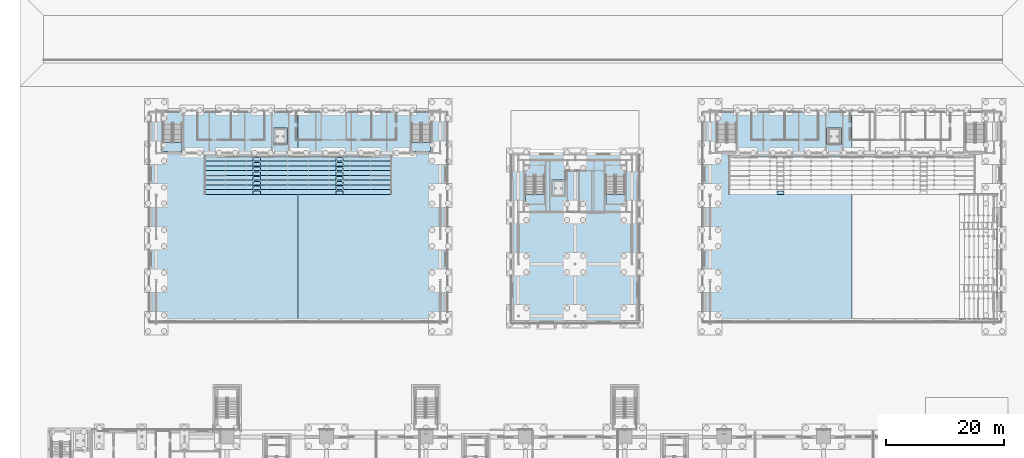
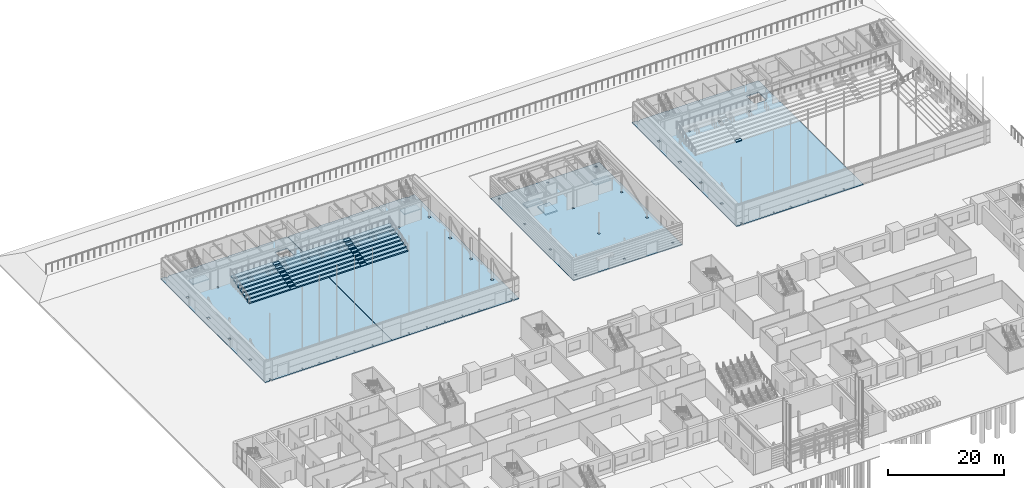
# One storey, part 74 of 139: 35 slabs, 4 elements without a shape of their own.
"""IFC4 building model written with IfcOpenShell, lengths in metres."""

from ifc_helpers import new_model, si_unit, direction, frame, origin, place, context, subcontext, project, spatial, polyline, outline, extrude, material, layer, layer_set, type_object, element, aggregate, save


model = new_model("IFC4")

# Units and contexts
model_context = context("Model", 3, precision=1e-05, world=origin(), true_north=direction((0.0, 1.0)))
body_context = subcontext(model_context, "Body", "Model", "MODEL_VIEW")
ifc_project = project(units=[si_unit("LENGTHUNIT", "METRE"), si_unit("AREAUNIT", "SQUARE_METRE"), si_unit("VOLUMEUNIT", "CUBIC_METRE"), si_unit("PLANEANGLEUNIT", "RADIAN"), si_unit("MASSUNIT", "GRAM", prefix="KILO")], contexts=[model_context])

# Site, building, storey
site_placement = place(None, origin())
site = spatial("IfcSite", under=ifc_project, at=site_placement, CompositionType="ELEMENT")
building_placement = place(site_placement, origin())
building = spatial("IfcBuilding", under=site, at=building_placement, Name="Verrick Yard Athletic Hall", CompositionType="ELEMENT")
storey_placement = place(building_placement, origin())
storey = spatial("IfcBuildingStorey", under=building, at=storey_placement, Name="L00", CompositionType="ELEMENT", Elevation=0.0)

# Slabs
ifc_material = material(Name="Concrete 35 MPa", Category="concrete")
ifc_layer_1 = layer(ifc_material, 0.199951171875)
ifc_layer_set_1 = layer_set([ifc_layer_1], Name="HB ground slab 200")
slab_type_1 = type_object("IfcSlabType", Name="HB ground slab 200", PredefinedType="BASESLAB", material=ifc_layer_set_1)
slab_1_placement = place(storey_placement, frame((0.0, 0.0, -0.199951171875)))
element("IfcSlab", 1, at=slab_1_placement, inside=storey, type_object=slab_type_1, Name="HB-SL-A-G1", PredefinedType="BASESLAB", context=body_context, shape_type="SweptSolid", body=[
    extrude(outline(polyline([(145.574951171875, 72.0), (121.83447265625, 72.0), (121.83447265625, 72.22802734375), (121.365478515625, 72.22802734375), (121.365478515625, 72.0), (120.39990234375, 72.0), (120.39990234375, 108.0), (121.365478515625, 108.0), (121.365478515625, 107.77197265625), (121.83447265625, 107.77197265625), (121.83447265625, 108.0), (127.447509765625, 108.0), (127.447509765625, 107.794921875), (127.75244140625, 107.794921875), (127.75244140625, 108.0), (133.447509765625, 108.0), (133.447509765625, 107.794921875), (133.75244140625, 107.794921875), (133.75244140625, 108.0), (139.447509765625, 108.0), (139.447509765625, 107.794921875), (139.75244140625, 107.794921875), (139.75244140625, 108.0), (145.447509765625, 108.0), (145.447509765625, 107.794921875), (145.574951171875, 107.794921875), (145.574951171875, 101.0048828125), (145.447509765625, 101.0048828125), (145.447509765625, 100.594970703125), (145.574951171875, 100.594970703125), (145.574951171875, 72.0)]), holes=[polyline([(121.726318359375, 72.620849609375), (121.473876953125, 72.620849609375), (121.473876953125, 72.368408203125), (121.726318359375, 72.368408203125), (121.726318359375, 72.620849609375)]), polyline([(128.14990234375, 72.620849609375), (127.8974609375, 72.620849609375), (127.8974609375, 72.368408203125), (128.14990234375, 72.368408203125), (128.14990234375, 72.620849609375)]), polyline([(131.53369140625, 72.368408203125), (131.53369140625, 72.620849609375), (131.28125, 72.620849609375), (131.28125, 72.368408203125), (131.53369140625, 72.368408203125)]), polyline([(121.83447265625, 78.971923828125), (121.83447265625, 79.427978515625), (121.365478515625, 79.427978515625), (121.365478515625, 78.971923828125), (121.83447265625, 78.971923828125)]), polyline([(121.83447265625, 86.6279296875), (121.365478515625, 86.6279296875), (121.365478515625, 86.172119140625), (121.83447265625, 86.172119140625), (121.83447265625, 86.6279296875)]), polyline([(121.83447265625, 93.827880859375), (121.365478515625, 93.827880859375), (121.365478515625, 93.3720703125), (121.83447265625, 93.3720703125), (121.83447265625, 93.827880859375)]), polyline([(121.83447265625, 101.028076171875), (121.365478515625, 101.028076171875), (121.365478515625, 100.572021484375), (121.83447265625, 100.572021484375), (121.83447265625, 101.028076171875)]), polyline([(127.75244140625, 100.594970703125), (127.75244140625, 101.0048828125), (127.447509765625, 101.0048828125), (127.447509765625, 100.594970703125), (127.75244140625, 100.594970703125)]), polyline([(135.0048828125, 72.620849609375), (134.75244140625, 72.620849609375), (134.75244140625, 72.368408203125), (135.0048828125, 72.368408203125), (135.0048828125, 72.620849609375)]), polyline([(138.541748046875, 72.620849609375), (138.289306640625, 72.620849609375), (138.289306640625, 72.368408203125), (138.541748046875, 72.368408203125), (138.541748046875, 72.620849609375)]), polyline([(142.122802734375, 72.368408203125), (142.122802734375, 72.620849609375), (141.87060546875, 72.620849609375), (141.87060546875, 72.368408203125), (142.122802734375, 72.368408203125)]), polyline([(133.75244140625, 100.594970703125), (133.75244140625, 101.0048828125), (133.447509765625, 101.0048828125), (133.447509765625, 100.594970703125), (133.75244140625, 100.594970703125)]), polyline([(139.75244140625, 101.0048828125), (139.447509765625, 101.0048828125), (139.447509765625, 100.594970703125), (139.75244140625, 100.594970703125), (139.75244140625, 101.0048828125)]), polyline([(143.800048828125, 102.199951171875), (143.800048828125, 105.0), (141.39990234375, 105.0), (141.39990234375, 102.199951171875), (143.800048828125, 102.199951171875)])]), origin(), (0.0, 0.0, 1.0), 0.199951171875),
])
slab_2_placement = place(storey_placement, frame((0.0, 0.0, -0.199951171875)))
element("IfcSlab", 2, at=slab_2_placement, inside=storey, type_object=slab_type_1, Name="HB-SL-B-G1", PredefinedType="BASESLAB", context=body_context, shape_type="SweptSolid", body=[
    extrude(outline(polyline([(51.97509765625, 72.0), (28.234619140625, 72.0), (28.234619140625, 72.22802734375), (27.765380859375, 72.22802734375), (27.765380859375, 72.0), (26.800048828125, 72.0), (26.800048828125, 108.0), (27.765380859375, 108.0), (27.765380859375, 107.77197265625), (28.234619140625, 107.77197265625), (28.234619140625, 108.0), (33.847412109375, 108.0), (33.847412109375, 107.794921875), (34.152587890625, 107.794921875), (34.152587890625, 108.0), (39.847412109375, 108.0), (39.847412109375, 107.794921875), (40.152587890625, 107.794921875), (40.152587890625, 108.0), (45.847412109375, 108.0), (45.847412109375, 107.794921875), (46.152587890625, 107.794921875), (46.152587890625, 108.0), (51.847412109375, 108.0), (51.847412109375, 107.794921875), (51.97509765625, 107.794921875), (51.97509765625, 101.0048828125), (51.847412109375, 101.0048828125), (51.847412109375, 100.594970703125), (51.97509765625, 100.594970703125), (51.97509765625, 72.0)]), holes=[polyline([(28.126220703125, 72.620849609375), (27.873779296875, 72.620849609375), (27.873779296875, 72.368408203125), (28.126220703125, 72.368408203125), (28.126220703125, 72.620849609375)]), polyline([(34.5498046875, 72.620849609375), (34.29736328125, 72.620849609375), (34.29736328125, 72.368408203125), (34.5498046875, 72.368408203125), (34.5498046875, 72.620849609375)]), polyline([(37.93359375, 72.368408203125), (37.93359375, 72.620849609375), (37.681396484375, 72.620849609375), (37.681396484375, 72.368408203125), (37.93359375, 72.368408203125)]), polyline([(28.234619140625, 78.971923828125), (28.234619140625, 79.427978515625), (27.765380859375, 79.427978515625), (27.765380859375, 78.971923828125), (28.234619140625, 78.971923828125)]), polyline([(28.234619140625, 86.6279296875), (27.765380859375, 86.6279296875), (27.765380859375, 86.172119140625), (28.234619140625, 86.172119140625), (28.234619140625, 86.6279296875)]), polyline([(28.234619140625, 93.827880859375), (27.765380859375, 93.827880859375), (27.765380859375, 93.3720703125), (28.234619140625, 93.3720703125), (28.234619140625, 93.827880859375)]), polyline([(28.234619140625, 101.028076171875), (27.765380859375, 101.028076171875), (27.765380859375, 100.572021484375), (28.234619140625, 100.572021484375), (28.234619140625, 101.028076171875)]), polyline([(34.152587890625, 100.594970703125), (34.152587890625, 101.0048828125), (33.847412109375, 101.0048828125), (33.847412109375, 100.594970703125), (34.152587890625, 100.594970703125)]), polyline([(41.40478515625, 72.620849609375), (41.15234375, 72.620849609375), (41.15234375, 72.368408203125), (41.40478515625, 72.368408203125), (41.40478515625, 72.620849609375)]), polyline([(44.94189453125, 72.620849609375), (44.689453125, 72.620849609375), (44.689453125, 72.368408203125), (44.94189453125, 72.368408203125), (44.94189453125, 72.620849609375)]), polyline([(48.52294921875, 72.368408203125), (48.52294921875, 72.620849609375), (48.2705078125, 72.620849609375), (48.2705078125, 72.368408203125), (48.52294921875, 72.368408203125)]), polyline([(40.152587890625, 100.594970703125), (40.152587890625, 101.0048828125), (39.847412109375, 101.0048828125), (39.847412109375, 100.594970703125), (40.152587890625, 100.594970703125)]), polyline([(46.152587890625, 101.0048828125), (45.847412109375, 101.0048828125), (45.847412109375, 100.594970703125), (46.152587890625, 100.594970703125), (46.152587890625, 101.0048828125)]), polyline([(50.199951171875, 102.199951171875), (50.199951171875, 105.0), (47.800048828125, 105.0), (47.800048828125, 102.199951171875), (50.199951171875, 102.199951171875)])]), origin(), (0.0, 0.0, 1.0), 0.199951171875),
])
slab_3_placement = place(storey_placement, frame((0.0, 0.0, -0.199951171875)))
element("IfcSlab", 3, at=slab_3_placement, inside=storey, type_object=slab_type_1, Name="HB-SL-B-G2", PredefinedType="BASESLAB", context=body_context, shape_type="SweptSolid", body=[
    extrude(outline(polyline([(77.199951171875, 108.0), (77.199951171875, 72.0), (76.234619140625, 72.0), (76.234619140625, 72.22802734375), (75.765380859375, 72.22802734375), (75.765380859375, 72.0), (52.02490234375, 72.0), (52.02490234375, 100.594970703125), (52.152587890625, 100.594970703125), (52.152587890625, 101.0048828125), (52.02490234375, 101.0048828125), (52.02490234375, 107.794921875), (52.152587890625, 107.794921875), (52.152587890625, 108.0), (57.847412109375, 108.0), (57.847412109375, 107.794921875), (58.152587890625, 107.794921875), (58.152587890625, 108.0), (63.847412109375, 108.0), (63.847412109375, 107.794921875), (64.152587890625, 107.794921875), (64.152587890625, 108.0), (69.847412109375, 108.0), (69.847412109375, 107.794921875), (70.152587890625, 107.794921875), (70.152587890625, 108.0), (75.765380859375, 108.0), (75.765380859375, 107.77197265625), (76.234619140625, 107.77197265625), (76.234619140625, 108.0), (77.199951171875, 108.0)]), holes=[polyline([(55.7294921875, 72.620849609375), (55.47705078125, 72.620849609375), (55.47705078125, 72.368408203125), (55.7294921875, 72.368408203125), (55.7294921875, 72.620849609375)]), polyline([(59.310546875, 72.620849609375), (59.05810546875, 72.620849609375), (59.05810546875, 72.368408203125), (59.310546875, 72.368408203125), (59.310546875, 72.620849609375)]), polyline([(62.84765625, 72.620849609375), (62.59521484375, 72.620849609375), (62.59521484375, 72.368408203125), (62.84765625, 72.368408203125), (62.84765625, 72.620849609375)]), polyline([(66.318603515625, 72.368408203125), (66.318603515625, 72.620849609375), (66.06640625, 72.620849609375), (66.06640625, 72.368408203125), (66.318603515625, 72.368408203125)]), polyline([(58.152587890625, 101.0048828125), (57.847412109375, 101.0048828125), (57.847412109375, 100.594970703125), (58.152587890625, 100.594970703125), (58.152587890625, 101.0048828125)]), polyline([(64.152587890625, 101.0048828125), (63.847412109375, 101.0048828125), (63.847412109375, 100.594970703125), (64.152587890625, 100.594970703125), (64.152587890625, 101.0048828125)]), polyline([(69.70263671875, 72.620849609375), (69.4501953125, 72.620849609375), (69.4501953125, 72.368408203125), (69.70263671875, 72.368408203125), (69.70263671875, 72.620849609375)]), polyline([(76.126220703125, 72.620849609375), (75.873779296875, 72.620849609375), (75.873779296875, 72.368408203125), (76.126220703125, 72.368408203125), (76.126220703125, 72.620849609375)]), polyline([(76.234619140625, 78.971923828125), (76.234619140625, 79.427978515625), (75.765380859375, 79.427978515625), (75.765380859375, 78.971923828125), (76.234619140625, 78.971923828125)]), polyline([(76.234619140625, 86.172119140625), (76.234619140625, 86.6279296875), (75.765380859375, 86.6279296875), (75.765380859375, 86.172119140625), (76.234619140625, 86.172119140625)]), polyline([(76.234619140625, 93.827880859375), (75.765380859375, 93.827880859375), (75.765380859375, 93.3720703125), (76.234619140625, 93.3720703125), (76.234619140625, 93.827880859375)]), polyline([(70.152587890625, 101.0048828125), (69.847412109375, 101.0048828125), (69.847412109375, 100.594970703125), (70.152587890625, 100.594970703125), (70.152587890625, 101.0048828125)]), polyline([(76.234619140625, 101.028076171875), (75.765380859375, 101.028076171875), (75.765380859375, 100.572021484375), (76.234619140625, 100.572021484375), (76.234619140625, 101.028076171875)])]), origin(), (0.0, 0.0, 1.0), 0.199951171875),
])
slab_4_placement = place(storey_placement, frame((0.0, 0.0, -0.199951171875)))
element("IfcSlab", 4, at=slab_4_placement, inside=storey, type_object=slab_type_1, Name="HB-SL-C-G", PredefinedType="BASESLAB", context=body_context, shape_type="SweptSolid", body=[
    extrude(outline(polyline([(88.0, 72.0), (88.0, 100.449951171875), (109.60009765625, 100.449951171875), (109.60009765625, 72.0), (88.0, 72.0)]), holes=[polyline([(89.02294921875, 73.376953125), (89.02294921875, 73.02294921875), (89.376953125, 73.02294921875), (89.376953125, 73.376953125), (89.02294921875, 73.376953125)]), polyline([(98.97705078125, 73.376953125), (98.623046875, 73.376953125), (98.623046875, 73.02294921875), (98.97705078125, 73.02294921875), (98.97705078125, 73.376953125)]), polyline([(89.376953125, 82.177001953125), (89.02294921875, 82.177001953125), (89.02294921875, 81.822998046875), (89.376953125, 81.822998046875), (89.376953125, 82.177001953125)]), polyline([(98.623046875, 82.177001953125), (98.623046875, 81.822998046875), (98.97705078125, 81.822998046875), (98.97705078125, 82.177001953125), (98.623046875, 82.177001953125)]), polyline([(89.376953125, 90.97705078125), (89.02294921875, 90.97705078125), (89.02294921875, 90.623046875), (89.376953125, 90.623046875), (89.376953125, 90.97705078125)]), polyline([(89.376953125, 99.777099609375), (89.02294921875, 99.777099609375), (89.02294921875, 99.423095703125), (89.376953125, 99.423095703125), (89.376953125, 99.777099609375)]), polyline([(108.222900390625, 73.376953125), (108.222900390625, 73.02294921875), (108.576904296875, 73.02294921875), (108.576904296875, 73.376953125), (108.222900390625, 73.376953125)]), polyline([(108.576904296875, 82.177001953125), (108.222900390625, 82.177001953125), (108.222900390625, 81.822998046875), (108.576904296875, 81.822998046875), (108.576904296875, 82.177001953125)]), polyline([(98.97705078125, 90.97705078125), (98.623046875, 90.97705078125), (98.623046875, 90.623046875), (98.97705078125, 90.623046875), (98.97705078125, 90.97705078125)]), polyline([(108.222900390625, 90.97705078125), (108.222900390625, 90.623046875), (108.576904296875, 90.623046875), (108.576904296875, 90.97705078125), (108.222900390625, 90.97705078125)]), polyline([(98.97705078125, 99.777099609375), (98.623046875, 99.777099609375), (98.623046875, 99.423095703125), (98.97705078125, 99.423095703125), (98.97705078125, 99.777099609375)]), polyline([(108.576904296875, 99.777099609375), (108.222900390625, 99.777099609375), (108.222900390625, 99.423095703125), (108.576904296875, 99.423095703125), (108.576904296875, 99.777099609375)])]), origin(), (0.0, 0.0, 1.0), 0.199951171875),
])
ifc_layer_2 = layer(ifc_material, 0.125)
ifc_layer_set_2 = layer_set([ifc_layer_2], Name="HB seating aisle step 125")
slab_type_2 = type_object("IfcSlabType", Name="HB seating aisle step 125", PredefinedType="FLOOR", material=ifc_layer_set_2)
slab_5_placement = place(storey_placement, origin())
element("IfcSlab", 5, at=slab_5_placement, inside=storey, type_object=slab_type_2, Name="Aisle step RSA1 aisle 1 row 1", PredefinedType="FLOOR", context=body_context, shape_type="SweptSolid", body=[
    extrude(outline(polyline([(132.896240234375, 93.800048828125), (134.09619140625, 93.800048828125), (134.09619140625, 94.39990234375), (132.896240234375, 94.39990234375), (132.896240234375, 93.800048828125)])), origin(), (0.0, 0.0, 1.0), 0.125),
])
slab_6_placement = place(storey_placement, origin())
element("IfcSlab", 6, at=slab_6_placement, inside=storey, type_object=slab_type_2, Name="Aisle step RSB1 aisle 1 row 1", PredefinedType="FLOOR", context=body_context, shape_type="SweptSolid", body=[
    extrude(outline(polyline([(44.400390625, 93.800048828125), (45.600341796875, 93.800048828125), (45.600341796875, 94.39990234375), (44.400390625, 94.39990234375), (44.400390625, 93.800048828125)])), origin(), (0.0, 0.0, 1.0), 0.125),
])
slab_7_placement = place(storey_placement, origin())
element("IfcSlab", 7, at=slab_7_placement, inside=storey, type_object=slab_type_2, Name="Aisle step RSB1 aisle 2 row 1", PredefinedType="FLOOR", context=body_context, shape_type="SweptSolid", body=[
    extrude(outline(polyline([(58.399658203125, 93.800048828125), (59.599609375, 93.800048828125), (59.599609375, 94.39990234375), (58.399658203125, 94.39990234375), (58.399658203125, 93.800048828125)])), origin(), (0.0, 0.0, 1.0), 0.125),
])
slab_8_placement = place(storey_placement, frame((0.0, 0.0, 0.25)))
element("IfcSlab", 8, at=slab_8_placement, inside=storey, type_object=slab_type_2, Name="Aisle step RSB1 aisle 1 row 2", PredefinedType="FLOOR", context=body_context, shape_type="SweptSolid", body=[
    extrude(outline(polyline([(44.400390625, 94.60009765625), (45.600341796875, 94.60009765625), (45.600341796875, 95.199951171875), (44.400390625, 95.199951171875), (44.400390625, 94.60009765625)])), origin(), (0.0, 0.0, 1.0), 0.125),
])
slab_9_placement = place(storey_placement, frame((0.0, 0.0, 0.25)))
element("IfcSlab", 9, at=slab_9_placement, inside=storey, type_object=slab_type_2, Name="Aisle step RSB1 aisle 2 row 2", PredefinedType="FLOOR", context=body_context, shape_type="SweptSolid", body=[
    extrude(outline(polyline([(58.399658203125, 94.60009765625), (59.599609375, 94.60009765625), (59.599609375, 95.199951171875), (58.399658203125, 95.199951171875), (58.399658203125, 94.60009765625)])), origin(), (0.0, 0.0, 1.0), 0.125),
])
slab_10_placement = place(storey_placement, frame((0.0, 0.0, 0.5)))
element("IfcSlab", 10, at=slab_10_placement, inside=storey, type_object=slab_type_2, Name="Aisle step RSB1 aisle 1 row 3", PredefinedType="FLOOR", context=body_context, shape_type="SweptSolid", body=[
    extrude(outline(polyline([(44.400390625, 95.39990234375), (45.600341796875, 95.39990234375), (45.600341796875, 96.0), (44.400390625, 96.0), (44.400390625, 95.39990234375)])), origin(), (0.0, 0.0, 1.0), 0.125),
])
slab_11_placement = place(storey_placement, frame((0.0, 0.0, 0.5)))
element("IfcSlab", 11, at=slab_11_placement, inside=storey, type_object=slab_type_2, Name="Aisle step RSB1 aisle 2 row 3", PredefinedType="FLOOR", context=body_context, shape_type="SweptSolid", body=[
    extrude(outline(polyline([(58.399658203125, 95.39990234375), (59.599609375, 95.39990234375), (59.599609375, 96.0), (58.399658203125, 96.0), (58.399658203125, 95.39990234375)])), origin(), (0.0, 0.0, 1.0), 0.125),
])
slab_12_placement = place(storey_placement, frame((0.0, 0.0, 0.75)))
element("IfcSlab", 12, at=slab_12_placement, inside=storey, type_object=slab_type_2, Name="Aisle step RSB1 aisle 1 row 4", PredefinedType="FLOOR", context=body_context, shape_type="SweptSolid", body=[
    extrude(outline(polyline([(44.400390625, 96.199951171875), (45.600341796875, 96.199951171875), (45.600341796875, 96.800048828125), (44.400390625, 96.800048828125), (44.400390625, 96.199951171875)])), origin(), (0.0, 0.0, 1.0), 0.125),
])
slab_13_placement = place(storey_placement, frame((0.0, 0.0, 0.75)))
element("IfcSlab", 13, at=slab_13_placement, inside=storey, type_object=slab_type_2, Name="Aisle step RSB1 aisle 2 row 4", PredefinedType="FLOOR", context=body_context, shape_type="SweptSolid", body=[
    extrude(outline(polyline([(58.399658203125, 96.199951171875), (59.599609375, 96.199951171875), (59.599609375, 96.800048828125), (58.399658203125, 96.800048828125), (58.399658203125, 96.199951171875)])), origin(), (0.0, 0.0, 1.0), 0.125),
])
slab_14_placement = place(storey_placement, frame((0.0, 0.0, 1.0)))
element("IfcSlab", 14, at=slab_14_placement, inside=storey, type_object=slab_type_2, Name="Aisle step RSB1 aisle 1 row 5", PredefinedType="FLOOR", context=body_context, shape_type="SweptSolid", body=[
    extrude(outline(polyline([(44.400390625, 97.0), (45.600341796875, 97.0), (45.600341796875, 97.60009765625), (44.400390625, 97.60009765625), (44.400390625, 97.0)])), origin(), (0.0, 0.0, 1.0), 0.125),
])
slab_15_placement = place(storey_placement, frame((0.0, 0.0, 1.0)))
element("IfcSlab", 15, at=slab_15_placement, inside=storey, type_object=slab_type_2, Name="Aisle step RSB1 aisle 2 row 5", PredefinedType="FLOOR", context=body_context, shape_type="SweptSolid", body=[
    extrude(outline(polyline([(58.399658203125, 97.0), (59.599609375, 97.0), (59.599609375, 97.60009765625), (58.399658203125, 97.60009765625), (58.399658203125, 97.0)])), origin(), (0.0, 0.0, 1.0), 0.125),
])
slab_16_placement = place(storey_placement, frame((0.0, 0.0, 1.25)))
element("IfcSlab", 16, at=slab_16_placement, inside=storey, type_object=slab_type_2, Name="Aisle step RSB1 aisle 1 row 6", PredefinedType="FLOOR", context=body_context, shape_type="SweptSolid", body=[
    extrude(outline(polyline([(44.400390625, 97.800048828125), (45.600341796875, 97.800048828125), (45.600341796875, 98.39990234375), (44.400390625, 98.39990234375), (44.400390625, 97.800048828125)])), origin(), (0.0, 0.0, 1.0), 0.125),
])
slab_17_placement = place(storey_placement, frame((0.0, 0.0, 1.25)))
element("IfcSlab", 17, at=slab_17_placement, inside=storey, type_object=slab_type_2, Name="Aisle step RSB1 aisle 2 row 6", PredefinedType="FLOOR", context=body_context, shape_type="SweptSolid", body=[
    extrude(outline(polyline([(58.399658203125, 97.800048828125), (59.599609375, 97.800048828125), (59.599609375, 98.39990234375), (58.399658203125, 98.39990234375), (58.399658203125, 97.800048828125)])), origin(), (0.0, 0.0, 1.0), 0.125),
])
slab_18_placement = place(storey_placement, frame((0.0, 0.0, 1.5)))
element("IfcSlab", 18, at=slab_18_placement, inside=storey, type_object=slab_type_2, Name="Aisle step RSB1 aisle 1 row 7", PredefinedType="FLOOR", context=body_context, shape_type="SweptSolid", body=[
    extrude(outline(polyline([(44.400390625, 98.60009765625), (45.600341796875, 98.60009765625), (45.600341796875, 99.199951171875), (44.400390625, 99.199951171875), (44.400390625, 98.60009765625)])), origin(), (0.0, 0.0, 1.0), 0.125),
])
slab_19_placement = place(storey_placement, frame((0.0, 0.0, 1.5)))
element("IfcSlab", 19, at=slab_19_placement, inside=storey, type_object=slab_type_2, Name="Aisle step RSB1 aisle 2 row 7", PredefinedType="FLOOR", context=body_context, shape_type="SweptSolid", body=[
    extrude(outline(polyline([(58.399658203125, 98.60009765625), (59.599609375, 98.60009765625), (59.599609375, 99.199951171875), (58.399658203125, 99.199951171875), (58.399658203125, 98.60009765625)])), origin(), (0.0, 0.0, 1.0), 0.125),
])
slab_20_placement = place(storey_placement, frame((0.0, 0.0, 1.75)))
element("IfcSlab", 20, at=slab_20_placement, inside=storey, type_object=slab_type_2, Name="Aisle step RSB1 aisle 1 row 8", PredefinedType="FLOOR", context=body_context, shape_type="SweptSolid", body=[
    extrude(outline(polyline([(44.400390625, 99.39990234375), (45.600341796875, 99.39990234375), (45.600341796875, 100.0), (44.400390625, 100.0), (44.400390625, 99.39990234375)])), origin(), (0.0, 0.0, 1.0), 0.125),
])
slab_21_placement = place(storey_placement, frame((0.0, 0.0, 1.75)))
element("IfcSlab", 21, at=slab_21_placement, inside=storey, type_object=slab_type_2, Name="Aisle step RSB1 aisle 2 row 8", PredefinedType="FLOOR", context=body_context, shape_type="SweptSolid", body=[
    extrude(outline(polyline([(58.399658203125, 99.39990234375), (59.599609375, 99.39990234375), (59.599609375, 100.0), (58.399658203125, 100.0), (58.399658203125, 99.39990234375)])), origin(), (0.0, 0.0, 1.0), 0.125),
])
ifc_layer_3 = layer(ifc_material, 0.25)
ifc_layer_set_3 = layer_set([ifc_layer_3], Name="HB seating tier 250")
slab_type_3 = type_object("IfcSlabType", Name="HB seating tier 250", PredefinedType="FLOOR", material=ifc_layer_set_3)
slab_22_placement = place(storey_placement, origin())
element("IfcSlab", 22, at=slab_22_placement, inside=storey, type_object=slab_type_3, Name="Retractable seating tier RSB1 row 1", PredefinedType="FLOOR", context=body_context, shape_type="SweptSolid", body=[
    extrude(outline(polyline([(36.199951171875, 93.800048828125), (44.400390625, 93.800048828125), (44.400390625, 94.39990234375), (45.600341796875, 94.39990234375), (45.600341796875, 93.800048828125), (58.399658203125, 93.800048828125), (58.399658203125, 94.39990234375), (59.599609375, 94.39990234375), (59.599609375, 93.800048828125), (67.800048828125, 93.800048828125), (67.800048828125, 94.60009765625), (36.199951171875, 94.60009765625), (36.199951171875, 93.800048828125)])), origin(), (0.0, 0.0, 1.0), 0.25),
])
slab_23_placement = place(storey_placement, frame((0.0, 0.0, 0.25)))
element("IfcSlab", 23, at=slab_23_placement, inside=storey, type_object=slab_type_3, Name="Retractable seating tier RSB1 row 2", PredefinedType="FLOOR", context=body_context, shape_type="SweptSolid", body=[
    extrude(outline(polyline([(36.199951171875, 94.60009765625), (44.400390625, 94.60009765625), (44.400390625, 95.199951171875), (45.600341796875, 95.199951171875), (45.600341796875, 94.60009765625), (58.399658203125, 94.60009765625), (58.399658203125, 95.199951171875), (59.599609375, 95.199951171875), (59.599609375, 94.60009765625), (67.800048828125, 94.60009765625), (67.800048828125, 95.39990234375), (36.199951171875, 95.39990234375), (36.199951171875, 94.60009765625)])), origin(), (0.0, 0.0, 1.0), 0.25),
])
slab_24_placement = place(storey_placement, frame((0.0, 0.0, 0.5)))
element("IfcSlab", 24, at=slab_24_placement, inside=storey, type_object=slab_type_3, Name="Retractable seating tier RSB1 row 3", PredefinedType="FLOOR", context=body_context, shape_type="SweptSolid", body=[
    extrude(outline(polyline([(36.199951171875, 95.39990234375), (44.400390625, 95.39990234375), (44.400390625, 96.0), (45.600341796875, 96.0), (45.600341796875, 95.39990234375), (58.399658203125, 95.39990234375), (58.399658203125, 96.0), (59.599609375, 96.0), (59.599609375, 95.39990234375), (67.800048828125, 95.39990234375), (67.800048828125, 96.199951171875), (36.199951171875, 96.199951171875), (36.199951171875, 95.39990234375)])), origin(), (0.0, 0.0, 1.0), 0.25),
])
slab_25_placement = place(storey_placement, frame((0.0, 0.0, 0.75)))
element("IfcSlab", 25, at=slab_25_placement, inside=storey, type_object=slab_type_3, Name="Retractable seating tier RSB1 row 4", PredefinedType="FLOOR", context=body_context, shape_type="SweptSolid", body=[
    extrude(outline(polyline([(36.199951171875, 96.199951171875), (44.400390625, 96.199951171875), (44.400390625, 96.800048828125), (45.600341796875, 96.800048828125), (45.600341796875, 96.199951171875), (58.399658203125, 96.199951171875), (58.399658203125, 96.800048828125), (59.599609375, 96.800048828125), (59.599609375, 96.199951171875), (67.800048828125, 96.199951171875), (67.800048828125, 97.0), (36.199951171875, 97.0), (36.199951171875, 96.199951171875)])), origin(), (0.0, 0.0, 1.0), 0.25),
])
slab_26_placement = place(storey_placement, frame((0.0, 0.0, 1.0)))
element("IfcSlab", 26, at=slab_26_placement, inside=storey, type_object=slab_type_3, Name="Retractable seating tier RSB1 row 5", PredefinedType="FLOOR", context=body_context, shape_type="SweptSolid", body=[
    extrude(outline(polyline([(36.199951171875, 97.0), (44.400390625, 97.0), (44.400390625, 97.60009765625), (45.600341796875, 97.60009765625), (45.600341796875, 97.0), (58.399658203125, 97.0), (58.399658203125, 97.60009765625), (59.599609375, 97.60009765625), (59.599609375, 97.0), (67.800048828125, 97.0), (67.800048828125, 97.800048828125), (36.199951171875, 97.800048828125), (36.199951171875, 97.0)])), origin(), (0.0, 0.0, 1.0), 0.25),
])
slab_27_placement = place(storey_placement, frame((0.0, 0.0, 1.25)))
element("IfcSlab", 27, at=slab_27_placement, inside=storey, type_object=slab_type_3, Name="Retractable seating tier RSB1 row 6", PredefinedType="FLOOR", context=body_context, shape_type="SweptSolid", body=[
    extrude(outline(polyline([(36.199951171875, 97.800048828125), (44.400390625, 97.800048828125), (44.400390625, 98.39990234375), (45.600341796875, 98.39990234375), (45.600341796875, 97.800048828125), (58.399658203125, 97.800048828125), (58.399658203125, 98.39990234375), (59.599609375, 98.39990234375), (59.599609375, 97.800048828125), (67.800048828125, 97.800048828125), (67.800048828125, 98.60009765625), (36.199951171875, 98.60009765625), (36.199951171875, 97.800048828125)])), origin(), (0.0, 0.0, 1.0), 0.25),
])
slab_28_placement = place(storey_placement, frame((0.0, 0.0, 1.5)))
element("IfcSlab", 28, at=slab_28_placement, inside=storey, type_object=slab_type_3, Name="Retractable seating tier RSB1 row 7", PredefinedType="FLOOR", context=body_context, shape_type="SweptSolid", body=[
    extrude(outline(polyline([(36.199951171875, 98.60009765625), (44.400390625, 98.60009765625), (44.400390625, 99.199951171875), (45.600341796875, 99.199951171875), (45.600341796875, 98.60009765625), (58.399658203125, 98.60009765625), (58.399658203125, 99.199951171875), (59.599609375, 99.199951171875), (59.599609375, 98.60009765625), (67.800048828125, 98.60009765625), (67.800048828125, 99.39990234375), (36.199951171875, 99.39990234375), (36.199951171875, 98.60009765625)])), origin(), (0.0, 0.0, 1.0), 0.25),
])
slab_29_placement = place(storey_placement, frame((0.0, 0.0, 1.75)))
element("IfcSlab", 29, at=slab_29_placement, inside=storey, type_object=slab_type_3, Name="Retractable seating tier RSB1 row 8", PredefinedType="FLOOR", context=body_context, shape_type="SweptSolid", body=[
    extrude(outline(polyline([(36.199951171875, 99.39990234375), (44.400390625, 99.39990234375), (44.400390625, 100.0), (45.600341796875, 100.0), (45.600341796875, 99.39990234375), (58.399658203125, 99.39990234375), (58.399658203125, 100.0), (59.599609375, 100.0), (59.599609375, 99.39990234375), (67.800048828125, 99.39990234375), (67.800048828125, 100.199951171875), (36.199951171875, 100.199951171875), (36.199951171875, 99.39990234375)])), origin(), (0.0, 0.0, 1.0), 0.25),
])
ifc_layer_4 = layer(ifc_material, 0.300048828125)
ifc_layer_set_4 = layer_set([ifc_layer_4], Name="Lift pit slab 300")
slab_type_4 = type_object("IfcSlabType", Name="Lift pit slab 300", PredefinedType="BASESLAB", material=ifc_layer_set_4)
slab_30_placement = place(storey_placement, frame((0.0, 0.0, -1.800048828125)))
element("IfcSlab", 30, at=slab_30_placement, inside=storey, type_object=slab_type_4, Name="CORE-LF-HB-PIT", PredefinedType="BASESLAB", context=body_context, shape_type="SweptSolid", body=[
    extrude(outline(polyline([(47.800048828125, 102.199951171875), (50.199951171875, 102.199951171875), (50.199951171875, 105.0), (47.800048828125, 105.0), (47.800048828125, 102.199951171875)])), origin(), (0.0, 0.0, 1.0), 0.300048828125),
])
slab_31_placement = place(storey_placement, frame((0.0, 0.0, -1.800048828125)))
element("IfcSlab", 31, at=slab_31_placement, inside=storey, type_object=slab_type_4, Name="CORE-LF-CH-PIT", PredefinedType="BASESLAB", context=body_context, shape_type="SweptSolid", body=[
    extrude(outline(polyline([(94.800048828125, 93.39990234375), (97.199951171875, 93.39990234375), (97.199951171875, 96.199951171875), (94.800048828125, 96.199951171875), (94.800048828125, 93.39990234375)])), origin(), (0.0, 0.0, 1.0), 0.300048828125),
])

# Stair, slab
stair_type = type_object("IfcStairType", Name="Stair ST1 1500 wide 26 risers", PredefinedType="HALF_TURN_STAIR", material=ifc_material)
stair_1_placement = place(storey_placement, origin())
stair_1 = element("IfcStair", 32, at=stair_1_placement, inside=storey, type_object=stair_type, Name="Climbing hall east stair L00", PredefinedType="HALF_TURN_STAIR")
ifc_layer_5 = layer(ifc_material, 0.199951171875)
ifc_layer_set_5 = layer_set([ifc_layer_5], Name="Stair landing slab 200")
slab_type_5 = type_object("IfcSlabType", Name="Stair landing slab 200", PredefinedType="LANDING", material=ifc_layer_set_5)
slab_32_placement = place(storey_placement, frame((0.0, 0.0, 2.0)))
slab_32 = element("IfcSlab", 33, at=slab_32_placement, type_object=slab_type_5, Name="ST1 landing 1", PredefinedType="LANDING", context=body_context, shape_type="SweptSolid", body=[
    extrude(outline(polyline([(104.0, 93.739990234375), (104.0, 92.199951171875), (107.199951171875, 92.199951171875), (107.199951171875, 93.739990234375), (104.0, 93.739990234375)])), origin(), (0.0, 0.0, 1.0), 0.199951171875),
])
aggregate(stair_1, [slab_32])

stair_2_placement = place(storey_placement, origin())
stair_2 = element("IfcStair", 34, at=stair_2_placement, inside=storey, type_object=stair_type, Name="Climbing hall west stair L00", PredefinedType="HALF_TURN_STAIR")
slab_33_placement = place(storey_placement, frame((0.0, 0.0, 2.0)))
slab_33 = element("IfcSlab", 35, at=slab_33_placement, type_object=slab_type_5, Name="ST1 landing 1", PredefinedType="LANDING", context=body_context, shape_type="SweptSolid", body=[
    extrude(outline(polyline([(90.39990234375, 93.739990234375), (90.39990234375, 92.199951171875), (93.60009765625, 92.199951171875), (93.60009765625, 93.739990234375), (90.39990234375, 93.739990234375)])), origin(), (0.0, 0.0, 1.0), 0.199951171875),
])
aggregate(stair_2, [slab_33])

stair_3_placement = place(storey_placement, origin())
stair_3 = element("IfcStair", 36, at=stair_3_placement, inside=storey, type_object=stair_type, Name="Sports Hall B east band stair L00", PredefinedType="HALF_TURN_STAIR")
slab_34_placement = place(storey_placement, frame((0.0, 0.0, 2.0)))
slab_34 = element("IfcSlab", 37, at=slab_34_placement, type_object=slab_type_5, Name="ST1 landing 1", PredefinedType="LANDING", context=body_context, shape_type="SweptSolid", body=[
    extrude(outline(polyline([(71.199951171875, 102.514892578125), (71.199951171875, 101.0), (74.39990234375, 101.0), (74.39990234375, 102.514892578125), (71.199951171875, 102.514892578125)])), origin(), (0.0, 0.0, 1.0), 0.199951171875),
])
aggregate(stair_3, [slab_34])

stair_4_placement = place(storey_placement, origin())
stair_4 = element("IfcStair", 38, at=stair_4_placement, inside=storey, type_object=stair_type, Name="Sports Hall B west band stair L00", PredefinedType="HALF_TURN_STAIR")
slab_35_placement = place(storey_placement, frame((0.0, 0.0, 2.0)))
slab_35 = element("IfcSlab", 39, at=slab_35_placement, type_object=slab_type_5, Name="ST1 landing 1", PredefinedType="LANDING", context=body_context, shape_type="SweptSolid", body=[
    extrude(outline(polyline([(29.199951171875, 102.514892578125), (29.199951171875, 101.0), (32.39990234375, 101.0), (32.39990234375, 102.514892578125), (29.199951171875, 102.514892578125)])), origin(), (0.0, 0.0, 1.0), 0.199951171875),
])
aggregate(stair_4, [slab_35])

save(model, "model.ifc")
